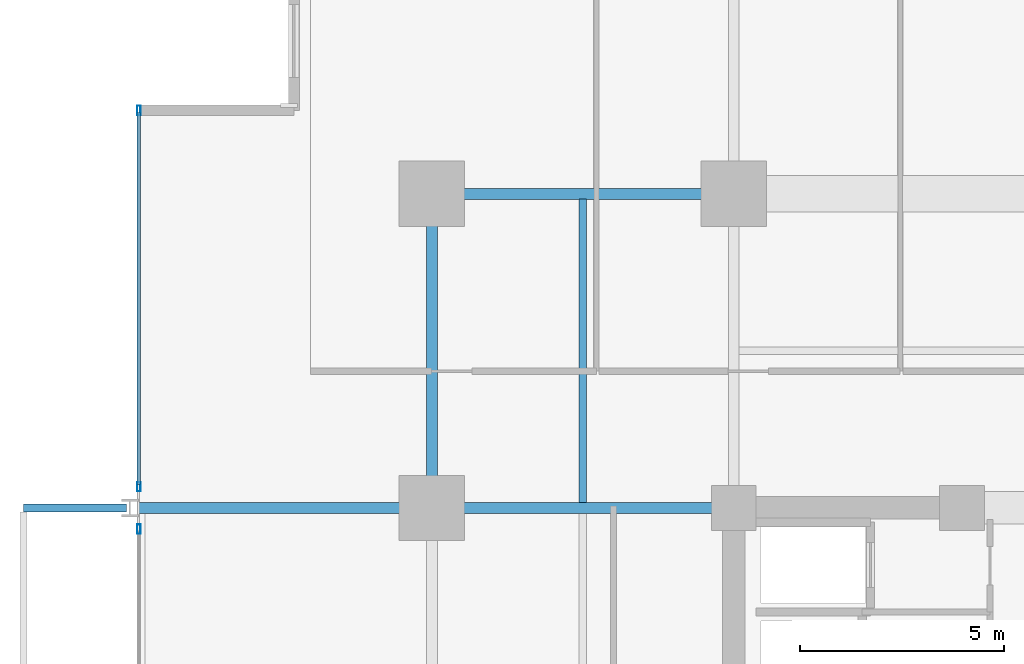
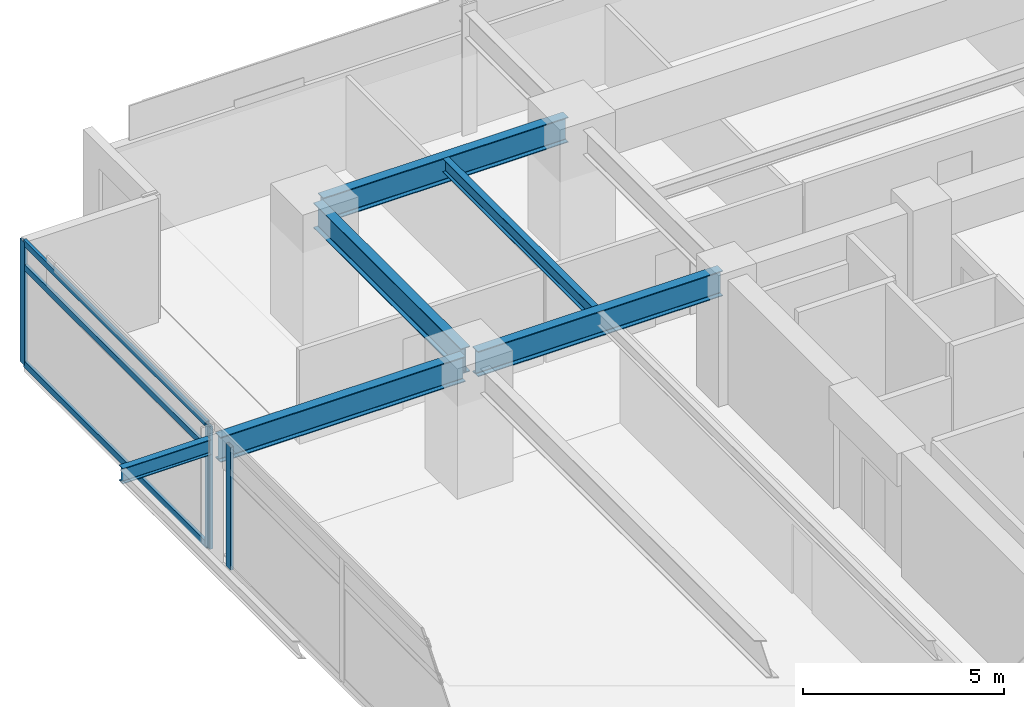
# One storey, part 9 of 22: 6 beams, 6 members, 2 elements without a shape of their own.
"""IFC4 building model written with IfcOpenShell, lengths in metres."""

import ifcopenshell
import ifcopenshell.guid

model = None  # the IFC model being written
_history = None  # IfcOwnerHistory: only IFC2X3 demands one
_inside = {}  # id of a spatial element -> (the spatial element, [elements in it])
_under = {}  # id of a project, library or spatial element -> (it, [spatial elements below it])
_declared = {}  # id of a project -> (the project, [libraries it declares])
_typed = {}  # id of a type object -> (the type object, [elements of that type])
_made_of = {}  # id of a material, layer set ... -> (it, [elements and type objects made of it])


def new_model(schema):
    """Start an empty IFC model of exactly this schema.

    Asked for "IFC4X3", IfcOpenShell would pick the latest addendum, in which some entities
    have other attributes; the version numbers below select the first issue.
    IFC2X3 requires an IfcOwnerHistory on every rooted entity: one is made here for all.
    """
    global model, _history
    if schema == "IFC4X3":
        model = ifcopenshell.file(schema_version=(4, 3, 0, 0))
    else:
        model = ifcopenshell.file(schema=schema)
    _inside.clear()
    _under.clear()
    _declared.clear()
    _typed.clear()
    _made_of.clear()
    _history = None
    if model.schema == "IFC2X3":
        org = make("IfcOrganization", Name="unknown")
        user = make(
            "IfcPersonAndOrganization",
            ThePerson=make("IfcPerson", FamilyName="unknown"),
            TheOrganization=org,
        )
        app = make(
            "IfcApplication",
            ApplicationDeveloper=org,
            Version="unknown",
            ApplicationFullName="unknown",
            ApplicationIdentifier="unknown",
        )
        _history = make(
            "IfcOwnerHistory",
            OwningUser=user,
            OwningApplication=app,
            ChangeAction="ADDED",
            CreationDate=0,
        )
    return model


def make(cls, **values):
    """One entity of the class cls with the attributes given. An attribute that is None is left unset."""
    return model.create_entity(
        cls, **{name: value for name, value in values.items() if value is not None}
    )


def rooted(cls, **values):
    """An entity with a GlobalId (a new one), such as an element, a storey or a relation."""
    return make(cls, GlobalId=ifcopenshell.guid.new(), OwnerHistory=_history, **values)


def si_unit(unit_type, name, prefix=None):
    """IfcSIUnit, for example si_unit("LENGTHUNIT", "METRE", prefix="MILLI")."""
    return make("IfcSIUnit", UnitType=unit_type, Prefix=prefix, Name=name)


def assignment(units):
    """IfcUnitAssignment: the units of a project."""
    return None if units is None else make("IfcUnitAssignment", Units=units)


def point(xyz):
    """IfcCartesianPoint."""
    return None if xyz is None else make("IfcCartesianPoint", Coordinates=xyz)


def direction(xyz):
    """IfcDirection."""
    return None if xyz is None else make("IfcDirection", DirectionRatios=xyz)


def frame(location, z_axis=None, x_axis=None):
    """IfcAxis2Placement3D, a coordinate frame: its origin and axes. An axis left out is left unset."""
    return make(
        "IfcAxis2Placement3D",
        Location=point(location),
        Axis=direction(z_axis),
        RefDirection=direction(x_axis),
    )


def frame_2d(location, x_axis=None):
    """IfcAxis2Placement2D, a coordinate frame in the plane: its origin and x axis."""
    return make(
        "IfcAxis2Placement2D", Location=point(location), RefDirection=direction(x_axis)
    )


def origin():
    """The frame at (0, 0, 0) with its axes left unset."""
    return frame((0.0, 0.0, 0.0))


def origin_2d():
    """The frame at (0, 0) in the plane with its x axis left unset."""
    return frame_2d((0.0, 0.0))


def place(relative_to, where):
    """IfcLocalPlacement: puts the frame where relative to a parent placement (None: the world)."""
    return make(
        "IfcLocalPlacement", PlacementRelTo=relative_to, RelativePlacement=where
    )


def context(
    kind, dimensions, precision=None, world=None, true_north=None, identifier=None
):
    """IfcGeometricRepresentationContext, for example the 3D "Model" context."""
    return make(
        "IfcGeometricRepresentationContext",
        ContextIdentifier=identifier,
        ContextType=kind,
        CoordinateSpaceDimension=dimensions,
        Precision=precision,
        WorldCoordinateSystem=world,
        TrueNorth=true_north,
    )


def subcontext(parent, identifier, kind, view, scale=None):
    """IfcGeometricRepresentationSubContext, for example "Body" below "Model"."""
    return make(
        "IfcGeometricRepresentationSubContext",
        ContextIdentifier=identifier,
        ContextType=kind,
        ParentContext=parent,
        TargetScale=scale,
        TargetView=view,
    )


def project(units=None, contexts=None):
    """IfcProject with its units and contexts."""
    return rooted(
        "IfcProject",
        Name="project",
        RepresentationContexts=contexts,
        UnitsInContext=assignment(units),
    )


def spatial(cls, under=None, at=None, **own):
    """A site, building, storey or space (cls), placed at a placement, below another one or the project."""
    s = rooted(cls, ObjectPlacement=at, **own)
    if under is not None:
        _under.setdefault(under.id(), (under, []))[1].append(s)
    return s


def profile(cls, at=None, kind="AREA", **sizes):
    """A parametric profile (cls). Its sizes go by their IFC names, for example OverallWidth=200.0."""
    return make(cls, ProfileType=kind, Position=at, **sizes)


def hollow_rectangle(**sizes):
    """IfcRectangleHollowProfileDef."""
    return profile("IfcRectangleHollowProfileDef", **sizes)


def i_section(**sizes):
    """IfcIShapeProfileDef."""
    return profile("IfcIShapeProfileDef", **sizes)


def extrude(swept, where, along, depth):
    """IfcExtrudedAreaSolid: the profile swept, set in the frame where, extruded along a direction by depth."""
    return make(
        "IfcExtrudedAreaSolid",
        SweptArea=swept,
        Position=where,
        ExtrudedDirection=direction(along),
        Depth=depth,
    )


def shape(context_of_items, identifier, shape_type, items):
    """IfcShapeRepresentation: the items that make up one representation, for example the "Body"."""
    return make(
        "IfcShapeRepresentation",
        ContextOfItems=context_of_items,
        RepresentationIdentifier=identifier,
        RepresentationType=shape_type,
        Items=items,
    )


def material(Name=None, Category=None):
    """IfcMaterial."""
    return make("IfcMaterial", Name=Name, Category=Category)


def material_profile(
    of_material, cross_section, Name=None, Category=None, Priority=None
):
    """IfcMaterialProfile: a cross section and its material."""
    return make(
        "IfcMaterialProfile",
        Name=Name,
        Material=of_material,
        Profile=cross_section,
        Priority=Priority,
        Category=Category,
    )


def profile_set(profiles, Name=None, composite=None):
    """IfcMaterialProfileSet."""
    return make(
        "IfcMaterialProfileSet",
        Name=Name,
        MaterialProfiles=profiles,
        CompositeProfile=composite,
    )


def made_of(thing, what):
    """Note that an element or type object is made of a material, layer set ...; save() writes the relation."""
    if what is not None:
        _made_of.setdefault(what.id(), (what, []))[1].append(thing)
    return thing


def type_object(cls, material=None, **own):
    """A type object (cls), such as IfcWallType, which elements share."""
    return made_of(rooted(cls, **own), material)


def element(
    cls,
    number,
    at=None,
    inside=None,
    cuts=None,
    type_object=None,
    material=None,
    context=None,
    identifier="Body",
    shape_type=None,
    held_by="IfcProductDefinitionShape",
    body=None,
    shapes=None,
    **own,
):
    """One element of the class cls, such as IfcWall. Its Tag is "e" and its number.

    at: its placement. inside: the storey or other place that contains it. cuts: it is an
    opening in that element (IfcRelVoidsElement). A single representation is given by context,
    identifier, shape_type and body (its items); several are given by shapes. held_by: the class
    of the entity that holds the representations. save() writes the other relations.
    """
    e = rooted(cls, Tag="e%d" % number, ObjectPlacement=at, **own)
    if body is not None:
        shapes = [shape(context, identifier, shape_type, body)]
    if shapes is not None:
        e.Representation = make(held_by, Representations=shapes)
    if inside is not None:
        _inside.setdefault(inside.id(), (inside, []))[1].append(e)
    if cuts is not None:
        rooted(
            "IfcRelVoidsElement", RelatingBuildingElement=cuts, RelatedOpeningElement=e
        )
    if type_object is not None:
        _typed.setdefault(type_object.id(), (type_object, []))[1].append(e)
    return made_of(e, material)


def aggregate(whole, parts):
    """IfcRelAggregates: a whole, such as a stair, and the parts it consists of."""
    return rooted("IfcRelAggregates", RelatingObject=whole, RelatedObjects=parts)


def save(model, path):
    """Write the relations noted so far, then the file.

    IfcRelAggregates (storeys below a building ...), IfcRelContainedInSpatialStructure (elements
    in a storey), IfcRelDefinesByType, IfcRelAssociatesMaterial and IfcRelDeclares: one each for
    every whole, place, type object, material and project.
    """
    for whole, parts in _under.values():
        aggregate(whole, parts)
    for where, things in _inside.values():
        rooted(
            "IfcRelContainedInSpatialStructure",
            RelatedElements=things,
            RelatingStructure=where,
        )
    for kind, things in _typed.values():
        rooted("IfcRelDefinesByType", RelatedObjects=things, RelatingType=kind)
    for what, things in _made_of.values():
        rooted("IfcRelAssociatesMaterial", RelatedObjects=things, RelatingMaterial=what)
    for by, libraries in _declared.values():
        rooted("IfcRelDeclares", RelatingContext=by, RelatedDefinitions=libraries)
    model.write(path)


model = new_model("IFC4")

# Units and contexts
model_context = context("Model", 3, precision=1e-05, world=origin(), true_north=direction((0.0, 1.0)))
body_context = subcontext(model_context, "Body", "Model", "MODEL_VIEW")
ifc_project = project(units=[si_unit("LENGTHUNIT", "METRE"), si_unit("AREAUNIT", "SQUARE_METRE"), si_unit("VOLUMEUNIT", "CUBIC_METRE"), si_unit("PLANEANGLEUNIT", "RADIAN"), si_unit("MASSUNIT", "GRAM", prefix="KILO")], contexts=[model_context])

# Site, building, storey
site_placement = place(None, origin())
site = spatial("IfcSite", under=ifc_project, at=site_placement, CompositionType="ELEMENT")
building_placement = place(site_placement, origin())
building = spatial("IfcBuilding", under=site, at=building_placement, Name="Kovane Verandah Tower", CompositionType="ELEMENT")
storey_placement = place(building_placement, frame((0.0, 0.0, 156.39990234375)))
storey = spatial("IfcBuildingStorey", under=building, at=storey_placement, Name="L36", CompositionType="ELEMENT", Elevation=156.39990234375)

# Beams
ifc_material_1 = material(Name="Steel S355", Category="steel")
ifc_material_profile_1 = material_profile(ifc_material_1, i_section(OverallWidth=0.26806640625, OverallDepth=0.769775390625, WebThickness=0.015625, FlangeThickness=0.025390625, FilletRadius=0.0166015625, at=origin_2d()), Name="UB762x267x197")
ifc_profile_set_1 = profile_set([ifc_material_profile_1], Name="Steel S355")
beam_type_1 = type_object("IfcBeamType", Name="BM-UB762x197", PredefinedType="BEAM", material=ifc_profile_set_1)
beam_1_placement = place(storey_placement, frame((21.780029296875, 44.199951171875, 3.39013671875), z_axis=(1.0, 0.0, 0.0), x_axis=(0.0, 1.0, 0.0)))
element("IfcBeam", 1, at=beam_1_placement, inside=storey, type_object=beam_type_1, Name="L36 Primary Tower Girder G-RN1", PredefinedType="BEAM", context=body_context, shape_type="SweptSolid", body=[
    extrude(i_section(OverallWidth=0.26806640625, OverallDepth=0.769775390625, WebThickness=0.015625, FlangeThickness=0.025390625, FilletRadius=0.0166015625, at=origin_2d()), origin(), (0.0, 0.0, 1.0), 7.0400390625),
])
beam_2_placement = place(storey_placement, frame((21.60009765625, 36.679931640625, 3.39013671875), z_axis=(0.0, 1.0, 0.0), x_axis=(-1.0, 0.0, 0.0)))
element("IfcBeam", 2, at=beam_2_placement, inside=storey, type_object=beam_type_1, Name="L36 Primary Tower Girder G-RW3", PredefinedType="BEAM", context=body_context, shape_type="SweptSolid", body=[
    extrude(i_section(OverallWidth=0.26806640625, OverallDepth=0.769775390625, WebThickness=0.015625, FlangeThickness=0.025390625, FilletRadius=0.0166015625, at=origin_2d()), origin(), (0.0, 0.0, 1.0), 7.340087890625),
])
for number, where, z_axis, x_axis, name in (
    (3, (28.820068359375, 36.5, 3.39013671875), (-1.0, 0.0, 0.0), (0.0, -1.0, 0.0), "L36 Primary Tower Girder G-W2"),
    (4, (21.419921875, 36.5, 3.375244140625), (-1.0, 0.0, 0.0), (0.0, -1.0, 0.0), "L36 Primary Tower Girder G-VW2"),
):
    element("IfcBeam", number, at=place(storey_placement, frame(where, z_axis=z_axis, x_axis=x_axis)), inside=storey, type_object=beam_type_1, Name=name, PredefinedType="BEAM", context=body_context, shape_type="SweptSolid", body=[
        extrude(i_section(OverallWidth=0.26806640625, OverallDepth=0.769775390625, WebThickness=0.015625, FlangeThickness=0.025390625, FilletRadius=0.0166015625, at=origin_2d()), origin(), (0.0, 0.0, 1.0), 7.0400390625),
    ])

# Curtain wall, members
ifc_material_2 = material(Name="Champagne Anodised Aluminium Frame with Low-E Clear Laminated Glass", Category="aluminium")
curtain_wall_type = type_object("IfcCurtainWallType", Name="CW-SYS-03-MID", PredefinedType="NOTDEFINED", material=ifc_material_2)
curtain_wall_1_placement = place(storey_placement, origin())
curtain_wall_1 = element("IfcCurtainWall", 5, at=curtain_wall_1_placement, inside=storey, type_object=curtain_wall_type, Name="L36 W Unitised Curtain Wall-1", PredefinedType="NOTDEFINED")
ifc_material_3 = material(Name="Champagne Anodised Aluminium 6063-T6", Category="aluminium")
ifc_material_profile_2 = material_profile(ifc_material_3, hollow_rectangle(XDim=0.0849609375, YDim=0.22998046875, WallThickness=0.00390625, at=origin_2d()), Name="AL85x230x4")
ifc_profile_set_2 = profile_set([ifc_material_profile_2], Name="Champagne Anodised Aluminium 6063-T6")
member_type_1 = type_object("IfcMemberType", Name="CW-MUL-85x230", PredefinedType="MULLION", material=ifc_profile_set_2)
member_1_placement = place(storey_placement, frame((14.419677734375, 46.24609375, 0.02001953125), z_axis=(0.0, 0.0, 1.0), x_axis=(-1.0, 0.0, 0.0)))
member_1 = element("IfcMember", 6, at=member_1_placement, type_object=member_type_1, Name="L36 W Unitised Curtain Wall-1 Mullion 1", PredefinedType="MULLION", context=body_context, shape_type="SweptSolid", body=[
    extrude(hollow_rectangle(XDim=0.0849609375, YDim=0.22998046875, WallThickness=0.00390625, at=origin_2d()), origin(), (0.0, 0.0, 1.0), 3.735107421875),
])
member_2_placement = place(storey_placement, frame((14.419677734375, 37.02001953125, 0.02001953125), z_axis=(0.0, 0.0, 1.0), x_axis=(-1.0, 0.0, 0.0)))
member_2 = element("IfcMember", 7, at=member_2_placement, type_object=member_type_1, Name="L36 W Unitised Curtain Wall-1 Mullion 2", PredefinedType="MULLION", context=body_context, shape_type="SweptSolid", body=[
    extrude(hollow_rectangle(XDim=0.0849609375, YDim=0.22998046875, WallThickness=0.00390625, at=origin_2d()), origin(), (0.0, 0.0, 1.0), 3.735107421875),
])

# Curtain wall, member
curtain_wall_2_placement = place(storey_placement, origin())
curtain_wall_2 = element("IfcCurtainWall", 8, at=curtain_wall_2_placement, inside=storey, type_object=curtain_wall_type, Name="L36 W Unitised Curtain Wall-2", PredefinedType="NOTDEFINED")
member_3_placement = place(storey_placement, frame((14.419677734375, 35.97998046875, 0.02001953125), z_axis=(0.0, 0.0, 1.0), x_axis=(-1.0, 0.0, 0.0)))
member_3 = element("IfcMember", 9, at=member_3_placement, type_object=member_type_1, Name="L36 W Unitised Curtain Wall-2 Mullion 1", PredefinedType="MULLION", context=body_context, shape_type="SweptSolid", body=[
    extrude(hollow_rectangle(XDim=0.0849609375, YDim=0.22998046875, WallThickness=0.00390625, at=origin_2d()), origin(), (0.0, 0.0, 1.0), 3.735107421875),
])
aggregate(curtain_wall_2, [member_3])

# Member
ifc_material_profile_3 = material_profile(ifc_material_3, hollow_rectangle(XDim=0.0849609375, YDim=0.18994140625, WallThickness=0.00390625, at=origin_2d()), Name="AL85x190x4")
ifc_profile_set_3 = profile_set([ifc_material_profile_3], Name="Champagne Anodised Aluminium 6063-T6")
member_type_2 = type_object("IfcMemberType", Name="CW-TRN-85x190", PredefinedType="USERDEFINED", material=ifc_profile_set_3)
member_4_placement = place(storey_placement, frame((14.419677734375, 46.1962890625, 0.050048828125), z_axis=(0.0, -1.0, 0.0), x_axis=(1.0, 0.0, 0.0)))
member_4 = element("IfcMember", 10, at=member_4_placement, type_object=member_type_2, Name="L36 W Unitised Curtain Wall-1 Transom TB Bay 1", ObjectType="TRANSOM", PredefinedType="USERDEFINED", context=body_context, shape_type="SweptSolid", body=[
    extrude(hollow_rectangle(XDim=0.0849609375, YDim=0.18994140625, WallThickness=0.00390625, at=origin_2d()), origin(), (0.0, 0.0, 1.0), 9.126220703125),
])

member_5_placement = place(storey_placement, frame((14.419677734375, 46.1962890625, 2.9951171875), z_axis=(0.0, -1.0, 0.0), x_axis=(1.0, 0.0, 0.0)))
member_5 = element("IfcMember", 11, at=member_5_placement, type_object=member_type_2, Name="L36 W Unitised Curtain Wall-1 Transom TM Bay 1", ObjectType="TRANSOM", PredefinedType="USERDEFINED", context=body_context, shape_type="SweptSolid", body=[
    extrude(hollow_rectangle(XDim=0.0849609375, YDim=0.18994140625, WallThickness=0.00390625, at=origin_2d()), origin(), (0.0, 0.0, 1.0), 9.126220703125),
])

member_6_placement = place(storey_placement, frame((14.419677734375, 46.1962890625, 3.72509765625), z_axis=(0.0, -1.0, 0.0), x_axis=(1.0, 0.0, 0.0)))
member_6 = element("IfcMember", 12, at=member_6_placement, type_object=member_type_2, Name="L36 W Unitised Curtain Wall-1 Transom TT Bay 1", ObjectType="TRANSOM", PredefinedType="USERDEFINED", context=body_context, shape_type="SweptSolid", body=[
    extrude(hollow_rectangle(XDim=0.0849609375, YDim=0.18994140625, WallThickness=0.00390625, at=origin_2d()), origin(), (0.0, 0.0, 1.0), 9.126220703125),
])

aggregate(curtain_wall_1, [member_1, member_2, member_4, member_5, member_6])

# Beams
ifc_material_profile_4 = material_profile(ifc_material_1, i_section(OverallWidth=0.179443359375, OverallDepth=0.412841796875, WebThickness=0.009521484375, FlangeThickness=0.01611328125, FilletRadius=0.01025390625, at=origin_2d()), Name="UB406x178x74")
ifc_profile_set_4 = profile_set([ifc_material_profile_4], Name="Steel S355")
beam_type_2 = type_object("IfcBeamType", Name="JST-UB406x74", PredefinedType="JOIST", material=ifc_profile_set_4)
beam_3_placement = place(storey_placement, frame((25.300048828125, 36.632080078125, 3.568603515625), z_axis=(0.0, 1.0, 0.0), x_axis=(-1.0, 0.0, 0.0)))
element("IfcBeam", 13, at=beam_3_placement, inside=storey, type_object=beam_type_2, Name="L36 Secondary Composite Joist J-NW1", PredefinedType="JOIST", context=body_context, shape_type="SweptSolid", body=[
    extrude(i_section(OverallWidth=0.179443359375, OverallDepth=0.412841796875, WebThickness=0.009521484375, FlangeThickness=0.01611328125, FilletRadius=0.01025390625, at=origin_2d()), origin(), (0.0, 0.0, 1.0), 7.43603515625),
])
ifc_material_profile_5 = material_profile(ifc_material_1, i_section(OverallWidth=0.19287109375, OverallDepth=0.46728515625, WebThickness=0.011474609375, FlangeThickness=0.01953125, FilletRadius=0.01025390625, at=origin_2d()), Name="UB457x191x98")
ifc_profile_set_5 = profile_set([ifc_material_profile_5], Name="Steel S355")
beam_type_3 = type_object("IfcBeamType", Name="JST-UB457x98", PredefinedType="JOIST", material=ifc_profile_set_5)
beam_4_placement = place(storey_placement, frame((14.1201171875, 36.5, 3.526611328125), z_axis=(-1.0, 0.0, 0.0), x_axis=(0.0, -1.0, 0.0)))
element("IfcBeam", 14, at=beam_4_placement, inside=storey, type_object=beam_type_3, Name="L36 West Planter Girder 2", PredefinedType="JOIST", context=body_context, shape_type="SweptSolid", body=[
    extrude(i_section(OverallWidth=0.19287109375, OverallDepth=0.46728515625, WebThickness=0.011474609375, FlangeThickness=0.01953125, FilletRadius=0.01025390625, at=origin_2d()), origin(), (0.0, 0.0, 1.0), 2.529052734375),
])

save(model, "model.ifc")
